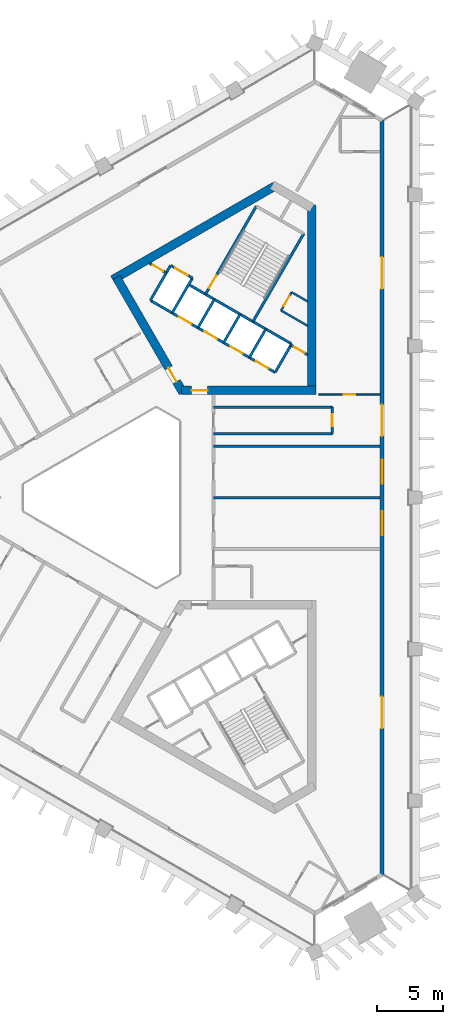
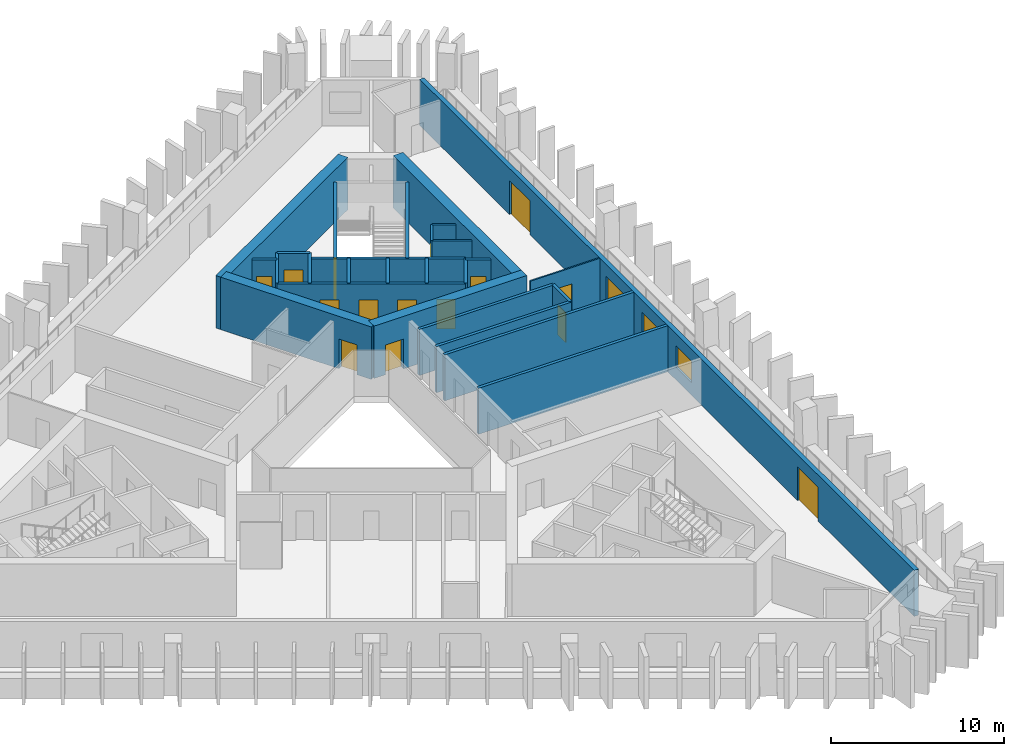
# One storey, part 5 of 10: 27 walls, 16 doors, 2 windows, 18 openings.
"""IFC4 building model written with IfcOpenShell, lengths in metres."""

from ifc_helpers import new_model, si_unit, direction, frame, frame_2d, origin, place, context, subcontext, project, spatial, rectangle, extrude, material, layer, layer_set, type_object, element, fill, save


model = new_model("IFC4")

# Units and contexts
model_context = context("Model", 3, precision=1e-05, world=origin(), true_north=direction((0.0, 1.0)))
body_context = subcontext(model_context, "Body", "Model", "MODEL_VIEW")
ifc_project = project(units=[si_unit("LENGTHUNIT", "METRE"), si_unit("AREAUNIT", "SQUARE_METRE"), si_unit("VOLUMEUNIT", "CUBIC_METRE"), si_unit("PLANEANGLEUNIT", "RADIAN"), si_unit("MASSUNIT", "GRAM", prefix="KILO")], contexts=[model_context])

# Site, building, storey
site_placement = place(None, origin())
site = spatial("IfcSite", under=ifc_project, at=site_placement, CompositionType="ELEMENT")
building_placement = place(site_placement, origin())
building = spatial("IfcBuilding", under=site, at=building_placement, Name="Jabali Bay Hotel Tower and Convention Centre", CompositionType="ELEMENT")
storey_placement = place(building_placement, frame((0.0, 0.0, 110.5)))
storey = spatial("IfcBuildingStorey", under=building, at=storey_placement, Name="L26", CompositionType="ELEMENT", Elevation=110.5)

# Wall, opening, door
ifc_material_1 = material(Name="Concrete C40", Category="concrete")
ifc_layer_1 = layer(ifc_material_1, 0.199951171875)
ifc_layer_set_1 = layer_set([ifc_layer_1], Name="Concrete C40")
wall_type_1 = type_object("IfcWallType", Name="Core partition wall 200", PredefinedType="PARTITIONING", material=ifc_layer_set_1)
wall_1_placement = place(storey_placement, frame((89.22998046875, 90.813720703125, 0.0), z_axis=(0.0, 0.0, 1.0), x_axis=(-0.866022048785, 0.500005810984, 0.0)))
wall_1 = element("IfcWall", 1, at=wall_1_placement, inside=storey, type_object=wall_type_1, Name="Core wall 1.11 L26", PredefinedType="PARTITIONING", context=body_context, shape_type="SweptSolid", body=[
    extrude(rectangle(XDim=1.466796875, YDim=0.199951171875, at=frame_2d((0.7333984375, 0.0))), origin(), (0.0, 0.0, 1.0), 3.25),
])
opening_1_placement = place(wall_1_placement, frame((0.283447265625, 0.0, 0.0)))
opening_1 = element("IfcOpeningElement", 2, at=opening_1_placement, cuts=wall_1, Name="Opening D593", PredefinedType="OPENING", context=body_context, shape_type="SweptSolid", body=[
    extrude(rectangle(XDim=0.89990234375, YDim=2.10009765625, at=frame_2d((0.449951171875, 1.050048828125))), frame((0.0, 0.1103515625, 0.0), z_axis=(0.0, -1.0, 0.0), x_axis=(1.0, 0.0, 0.0)), (0.0, 0.0, 1.0), 0.220947265625),
])
ifc_material_2 = material(Name="Fire-rated steel door", Category="steel")
door_type_1 = type_object("IfcDoorType", Name="Vestibule fire door 900 x 2100", OperationType="NOTDEFINED", PredefinedType="NOTDEFINED", material=ifc_material_2)
door_1_placement = place(opening_1_placement, origin())
door_1 = element("IfcDoor", 3, at=door_1_placement, inside=storey, type_object=door_type_1, Name="Vestibule fire door D593", OperationType="SINGLE_SWING_LEFT", OverallHeight=2.10009765625, OverallWidth=0.89990234375, PredefinedType="NOTDEFINED", context=body_context, shape_type="SweptSolid", body=[
    extrude(rectangle(XDim=0.89990234375, YDim=2.10009765625, at=frame_2d((0.449951171875, 1.050048828125))), frame((0.0, 0.02490234375, 0.0), z_axis=(0.0, -1.0, 0.0), x_axis=(1.0, 0.0, 0.0)), (0.0, 0.0, 1.0), 0.050048828125),
])
fill(opening_1, door_1)

wall_2_placement = place(storey_placement, frame((78.5302734375, 97.014404296875, 0.0), z_axis=(0.0, 0.0, 1.0), x_axis=(-0.866045896294, 0.499964504253, 0.0)))
wall_2 = element("IfcWall", 4, at=wall_2_placement, inside=storey, type_object=wall_type_1, Name="Core wall 1.12 L26", PredefinedType="PARTITIONING", context=body_context, shape_type="SweptSolid", body=[
    extrude(rectangle(XDim=1.455078125, YDim=0.199951171875, at=frame_2d((0.7275390625, 0.0))), origin(), (0.0, 0.0, 1.0), 3.25),
])
opening_2_placement = place(wall_2_placement, frame((0.277587890625, 0.0, 0.0)))
opening_2 = element("IfcOpeningElement", 5, at=opening_2_placement, cuts=wall_2, Name="Opening D592", PredefinedType="OPENING", context=body_context, shape_type="SweptSolid", body=[
    extrude(rectangle(XDim=0.89990234375, YDim=2.10009765625, at=frame_2d((0.449951171875, 1.050048828125))), frame((0.0, 0.1103515625, 0.0), z_axis=(0.0, -1.0, 0.0), x_axis=(1.0, 0.0, 0.0)), (0.0, 0.0, 1.0), 0.220947265625),
])
door_2_placement = place(opening_2_placement, origin())
door_2 = element("IfcDoor", 6, at=door_2_placement, inside=storey, type_object=door_type_1, Name="Vestibule fire door D592", OperationType="SINGLE_SWING_LEFT", OverallHeight=2.10009765625, OverallWidth=0.89990234375, PredefinedType="NOTDEFINED", context=body_context, shape_type="SweptSolid", body=[
    extrude(rectangle(XDim=0.89990234375, YDim=2.10009765625, at=frame_2d((0.449951171875, 1.050048828125))), frame((0.0, 0.02490234375, 0.0), z_axis=(0.0, -1.0, 0.0), x_axis=(1.0, 0.0, 0.0)), (0.0, 0.0, 1.0), 0.050048828125),
])
fill(opening_2, door_2)

ifc_material_3 = material(Name="Fire-rated board partition")
ifc_layer_2 = layer(ifc_material_3, 0.14990234375)
ifc_layer_set_2 = layer_set([ifc_layer_2], Name="Fire-rated board partition")
wall_type_2 = type_object("IfcWallType", Name="Core room partition 150", PredefinedType="PARTITIONING", material=ifc_layer_set_2)
wall_3_placement = place(storey_placement, frame((87.22119140625, 94.16748046875, 0.0), z_axis=(0.0, 0.0, 1.0), x_axis=(0.499880961361, 0.866094119867, 0.0)))
wall_3 = element("IfcWall", 7, at=wall_3_placement, inside=storey, type_object=wall_type_2, Name="Core wall 1.1 L26", PredefinedType="PARTITIONING", context=body_context, shape_type="SweptSolid", body=[
    extrude(rectangle(XDim=1.60009765625, YDim=0.14990234375, at=frame_2d((0.800048828125, 0.0))), origin(), (0.0, 0.0, 1.0), 3.25),
])
opening_3_placement = place(wall_3_placement, frame((0.387451171875, 0.0, 0.0)))
opening_3 = element("IfcOpeningElement", 8, at=opening_3_placement, cuts=wall_3, Name="Opening D595", PredefinedType="OPENING", context=body_context, shape_type="SweptSolid", body=[
    extrude(rectangle(XDim=0.89990234375, YDim=2.10009765625, at=frame_2d((0.449951171875, 1.050048828125))), frame((0.0, 0.08544921875, 0.0), z_axis=(0.0, -1.0, 0.0), x_axis=(1.0, 0.0, 0.0)), (0.0, 0.0, 1.0), 0.1708984375),
])
door_type_2 = type_object("IfcDoorType", Name="Core room door 900 x 2100", OperationType="NOTDEFINED", PredefinedType="NOTDEFINED", material=ifc_material_2)
door_3_placement = place(opening_3_placement, origin())
door_3 = element("IfcDoor", 9, at=door_3_placement, inside=storey, type_object=door_type_2, Name="Core room door D595", OperationType="SINGLE_SWING_LEFT", OverallHeight=2.10009765625, OverallWidth=0.89990234375, PredefinedType="NOTDEFINED", context=body_context, shape_type="SweptSolid", body=[
    extrude(rectangle(XDim=0.89990234375, YDim=2.10009765625, at=frame_2d((0.449951171875, 1.050048828125))), frame((0.0, 0.02490234375, 0.0), z_axis=(0.0, -1.0, 0.0), x_axis=(1.0, 0.0, 0.0)), (0.0, 0.0, 1.0), 0.050048828125),
])
fill(opening_3, door_3)

# Walls
wall_4_placement = place(storey_placement, frame((89.22998046875, 93.0078125, 0.0), z_axis=(0.0, 0.0, 1.0), x_axis=(-0.866045366557, 0.49996542187, 0.0)))
element("IfcWall", 10, at=wall_4_placement, inside=storey, type_object=wall_type_2, Name="Core wall 1.15 L26", PredefinedType="PARTITIONING", context=body_context, shape_type="SweptSolid", body=[
    extrude(rectangle(XDim=2.319580078125, YDim=0.14990234375, at=frame_2d((1.15966796875, 0.0))), origin(), (0.0, 0.0, 1.0), 3.25),
])
wall_5_placement = place(storey_placement, frame((89.22998046875, 94.855224609375, 0.0), z_axis=(0.0, 0.0, 1.0), x_axis=(-0.866028321769, 0.499994945868, 0.0)))
element("IfcWall", 11, at=wall_5_placement, inside=storey, type_object=wall_type_2, Name="Core wall 1.16 L26", PredefinedType="PARTITIONING", context=body_context, shape_type="SweptSolid", body=[
    extrude(rectangle(XDim=1.39599609375, YDim=0.14990234375, at=frame_2d((0.697998046875, 0.0))), origin(), (0.0, 0.0, 1.0), 3.25),
])
ifc_layer_3 = layer(ifc_material_1, 0.199951171875)
ifc_layer_set_3 = layer_set([ifc_layer_3], Name="Concrete C40")
wall_type_3 = type_object("IfcWallType", Name="Core stair wall 200", PredefinedType="SOLIDWALL", material=ifc_layer_set_3)
for number, where, z_axis, x_axis, name in (
    (12, (86.769775390625, 89.48583984375, 0.0), (0.0, 0.0, 1.0), (0.499961042966, 0.86604789447, 0.0), "Core wall 1.0 L26"),
    (13, (84.8212890625, 90.61083984375, 0.0), (0.0, 0.0, 1.0), (0.499961042966, 0.86604789447, 0.0), "Core wall 1.2 L26"),
):
    element("IfcWall", number, at=place(storey_placement, frame(where, z_axis=z_axis, x_axis=x_axis)), inside=storey, type_object=wall_type_3, Name=name, PredefinedType="SOLIDWALL", context=body_context, shape_type="SweptSolid", body=[
        extrude(rectangle(XDim=2.480224609375, YDim=0.199951171875, at=frame_2d((1.240234375, 0.0))), origin(), (0.0, 0.0, 1.0), 3.25),
    ])
wall_6_placement = place(storey_placement, frame((85.0869140625, 93.3212890625, 0.0), z_axis=(0.0, 0.0, 1.0), x_axis=(0.500019787375, 0.866013979237, 0.0)))
element("IfcWall", 14, at=wall_6_placement, inside=storey, type_object=wall_type_3, Name="Core wall 1.3 L26", PredefinedType="SOLIDWALL", context=body_context, shape_type="SweptSolid", body=[
    extrude(rectangle(XDim=7.699951171875, YDim=0.199951171875, at=frame_2d((3.85009765625, 0.0))), origin(), (0.0, 0.0, 1.0), 3.25),
])
for number, where, z_axis, x_axis, name in (
    (15, (82.872802734375, 91.73583984375, 0.0), (0.0, 0.0, 1.0), (0.499961042966, 0.86604789447, 0.0), "Core wall 1.4 L26"),
    (16, (80.924072265625, 92.86083984375, 0.0), (0.0, 0.0, 1.0), (0.499961042966, 0.86604789447, 0.0), "Core wall 1.6 L26"),
):
    element("IfcWall", number, at=place(storey_placement, frame(where, z_axis=z_axis, x_axis=x_axis)), inside=storey, type_object=wall_type_3, Name=name, PredefinedType="SOLIDWALL", context=body_context, shape_type="SweptSolid", body=[
        extrude(rectangle(XDim=2.480224609375, YDim=0.199951171875, at=frame_2d((1.240234375, 0.0))), origin(), (0.0, 0.0, 1.0), 3.25),
    ])

# Wall, opening, door
wall_7_placement = place(storey_placement, frame((81.492919921875, 95.396240234375, 0.0), z_axis=(0.0, 0.0, 1.0), x_axis=(0.500006057782, 0.866021906294, 0.0)))
wall_7 = element("IfcWall", 17, at=wall_7_placement, inside=storey, type_object=wall_type_3, Name="Core wall 1.7 L26", PredefinedType="SOLIDWALL", context=body_context, shape_type="SweptSolid", body=[
    extrude(rectangle(XDim=7.7001953125, YDim=0.199951171875, at=frame_2d((3.85009765625, 0.0))), origin(), (0.0, 0.0, 1.0), 3.25),
])
opening_4_placement = place(wall_7_placement, frame((0.550048828125, 0.0, 0.0)))
opening_4 = element("IfcOpeningElement", 18, at=opening_4_placement, cuts=wall_7, Name="Opening D594", PredefinedType="OPENING", context=body_context, shape_type="SweptSolid", body=[
    extrude(rectangle(XDim=1.10009765625, YDim=2.10009765625, at=frame_2d((0.550048828125, 1.050048828125))), frame((0.0, 0.1103515625, 0.0), z_axis=(0.0, -1.0, 0.0), x_axis=(1.0, 0.0, 0.0)), (0.0, 0.0, 1.0), 0.220947265625),
])
door_type_3 = type_object("IfcDoorType", Name="Stair fire door 1100 x 2100", OperationType="NOTDEFINED", PredefinedType="NOTDEFINED", material=ifc_material_2)
door_4_placement = place(opening_4_placement, origin())
door_4 = element("IfcDoor", 19, at=door_4_placement, inside=storey, type_object=door_type_3, Name="Stair fire door D594", OperationType="SINGLE_SWING_RIGHT", OverallHeight=2.10009765625, OverallWidth=1.10009765625, PredefinedType="NOTDEFINED", context=body_context, shape_type="SweptSolid", body=[
    extrude(rectangle(XDim=1.10009765625, YDim=2.10009765625, at=frame_2d((0.550048828125, 1.050048828125))), frame((0.0, 0.02490234375, 0.0), z_axis=(0.0, -1.0, 0.0), x_axis=(1.0, 0.0, 0.0)), (0.0, 0.0, 1.0), 0.050048828125),
])
fill(opening_4, door_4)

# Walls
for number, where, z_axis, x_axis, name in (
    (20, (78.9755859375, 93.98583984375, 0.0), (0.0, 0.0, 1.0), (0.499944174705, 0.866057632134, 0.0), "Core wall 1.8 L26"),
    (21, (77.330078125, 94.93603515625, 0.0), (0.0, 0.0, 1.0), (0.500038867431, 0.8660029625, 0.0), "Core wall 1.9 L26"),
):
    element("IfcWall", number, at=place(storey_placement, frame(where, z_axis=z_axis, x_axis=x_axis)), inside=storey, type_object=wall_type_3, Name=name, PredefinedType="SOLIDWALL", context=body_context, shape_type="SweptSolid", body=[
        extrude(rectangle(XDim=3.050048828125, YDim=0.199951171875, at=frame_2d((1.52490234375, 0.0))), origin(), (0.0, 0.0, 1.0), 3.25),
    ])

# Wall, openings, doors
wall_8_placement = place(storey_placement, frame((86.769775390625, 89.48583984375, 0.0), z_axis=(0.0, 0.0, 1.0), x_axis=(-0.86601811187, 0.500012629753, 0.0)))
wall_8 = element("IfcWall", 22, at=wall_8_placement, inside=storey, type_object=wall_type_3, Name="Core wall 1.10 L26", PredefinedType="SOLIDWALL", context=body_context, shape_type="SweptSolid", body=[
    extrude(rectangle(XDim=10.900146484375, YDim=0.199951171875, at=frame_2d((5.4501953125, 0.0))), origin(), (0.0, 0.0, 1.0), 3.25),
])
opening_5_placement = place(wall_8_placement, frame((0.574951171875, 0.0, 0.0)))
opening_5 = element("IfcOpeningElement", 23, at=opening_5_placement, cuts=wall_8, Name="Opening LD6-L26", PredefinedType="OPENING", context=body_context, shape_type="SweptSolid", body=[
    extrude(rectangle(XDim=1.10009765625, YDim=2.10009765625, at=frame_2d((0.550048828125, 1.050048828125))), frame((0.0, 0.1103515625, 0.0), z_axis=(0.0, -1.0, 0.0), x_axis=(1.0, 0.0, 0.0)), (0.0, 0.0, 1.0), 0.220947265625),
])
opening_6_placement = place(wall_8_placement, frame((2.824951171875, 0.0, 0.0)))
opening_6 = element("IfcOpeningElement", 24, at=opening_6_placement, cuts=wall_8, Name="Opening LD7-L26", PredefinedType="OPENING", context=body_context, shape_type="SweptSolid", body=[
    extrude(rectangle(XDim=1.10009765625, YDim=2.10009765625, at=frame_2d((0.550048828125, 1.050048828125))), frame((0.0, 0.1103515625, 0.0), z_axis=(0.0, -1.0, 0.0), x_axis=(1.0, 0.0, 0.0)), (0.0, 0.0, 1.0), 0.220947265625),
])
opening_7_placement = place(wall_8_placement, frame((5.074951171875, 0.0, 0.0)))
opening_7 = element("IfcOpeningElement", 25, at=opening_7_placement, cuts=wall_8, Name="Opening LD8-L26", PredefinedType="OPENING", context=body_context, shape_type="SweptSolid", body=[
    extrude(rectangle(XDim=1.10009765625, YDim=2.10009765625, at=frame_2d((0.550048828125, 1.050048828125))), frame((0.0, 0.1103515625, 0.0), z_axis=(0.0, -1.0, 0.0), x_axis=(1.0, 0.0, 0.0)), (0.0, 0.0, 1.0), 0.220947265625),
])
opening_8_placement = place(wall_8_placement, frame((7.324951171875, 0.0, 0.0)))
opening_8 = element("IfcOpeningElement", 26, at=opening_8_placement, cuts=wall_8, Name="Opening LD9-L26", PredefinedType="OPENING", context=body_context, shape_type="SweptSolid", body=[
    extrude(rectangle(XDim=1.10009765625, YDim=2.10009765625, at=frame_2d((0.550048828125, 1.050048828125))), frame((0.0, 0.1103515625, 0.0), z_axis=(0.0, -1.0, 0.0), x_axis=(1.0, 0.0, 0.0)), (0.0, 0.0, 1.0), 0.220947265625),
])
ifc_material_4 = material(Name="Stainless steel landing door", Category="steel")
door_type_4 = type_object("IfcDoorType", Name="Landing door 1100 x 2100", OperationType="NOTDEFINED", PredefinedType="NOTDEFINED", material=ifc_material_4)
door_5_placement = place(opening_5_placement, origin())
door_5 = element("IfcDoor", 27, at=door_5_placement, inside=storey, type_object=door_type_4, Name="Landing doors LD6-L26", OperationType="SLIDING_TO_RIGHT", OverallHeight=2.10009765625, OverallWidth=1.10009765625, PredefinedType="NOTDEFINED", context=body_context, shape_type="SweptSolid", body=[
    extrude(rectangle(XDim=1.10009765625, YDim=2.10009765625, at=frame_2d((0.550048828125, 1.050048828125))), frame((0.0, 0.02490234375, 0.0), z_axis=(0.0, -1.0, 0.0), x_axis=(1.0, 0.0, 0.0)), (0.0, 0.0, 1.0), 0.050048828125),
])
fill(opening_5, door_5)
door_6_placement = place(opening_6_placement, origin())
door_6 = element("IfcDoor", 28, at=door_6_placement, inside=storey, type_object=door_type_4, Name="Landing doors LD7-L26", OperationType="SLIDING_TO_LEFT", OverallHeight=2.10009765625, OverallWidth=1.10009765625, PredefinedType="NOTDEFINED", context=body_context, shape_type="SweptSolid", body=[
    extrude(rectangle(XDim=1.10009765625, YDim=2.10009765625, at=frame_2d((0.550048828125, 1.050048828125))), frame((0.0, 0.02490234375, 0.0), z_axis=(0.0, -1.0, 0.0), x_axis=(1.0, 0.0, 0.0)), (0.0, 0.0, 1.0), 0.050048828125),
])
fill(opening_6, door_6)
door_7_placement = place(opening_7_placement, origin())
door_7 = element("IfcDoor", 29, at=door_7_placement, inside=storey, type_object=door_type_4, Name="Landing doors LD8-L26", OperationType="SLIDING_TO_RIGHT", OverallHeight=2.10009765625, OverallWidth=1.10009765625, PredefinedType="NOTDEFINED", context=body_context, shape_type="SweptSolid", body=[
    extrude(rectangle(XDim=1.10009765625, YDim=2.10009765625, at=frame_2d((0.550048828125, 1.050048828125))), frame((0.0, 0.02490234375, 0.0), z_axis=(0.0, -1.0, 0.0), x_axis=(1.0, 0.0, 0.0)), (0.0, 0.0, 1.0), 0.050048828125),
])
fill(opening_7, door_7)
door_8_placement = place(opening_8_placement, origin())
door_8 = element("IfcDoor", 30, at=door_8_placement, inside=storey, type_object=door_type_4, Name="Landing doors LD9-L26", OperationType="SLIDING_TO_LEFT", OverallHeight=2.10009765625, OverallWidth=1.10009765625, PredefinedType="NOTDEFINED", context=body_context, shape_type="SweptSolid", body=[
    extrude(rectangle(XDim=1.10009765625, YDim=2.10009765625, at=frame_2d((0.550048828125, 1.050048828125))), frame((0.0, 0.02490234375, 0.0), z_axis=(0.0, -1.0, 0.0), x_axis=(1.0, 0.0, 0.0)), (0.0, 0.0, 1.0), 0.050048828125),
])
fill(opening_8, door_8)

# Wall
wall_9_placement = place(storey_placement, frame((88.009765625, 91.6337890625, 0.0), z_axis=(0.0, 0.0, 1.0), x_axis=(-0.866024315419, 0.5000018851, 0.0)))
element("IfcWall", 31, at=wall_9_placement, inside=storey, type_object=wall_type_3, Name="Core wall 1.13 L26", PredefinedType="SOLIDWALL", context=body_context, shape_type="SweptSolid", body=[
    extrude(rectangle(XDim=9.0, YDim=0.199951171875, at=frame_2d((4.5, 0.0))), origin(), (0.0, 0.0, 1.0), 3.25),
])

# Wall, opening, door
wall_10_placement = place(storey_placement, frame((80.50048828125, 96.62744140625, 0.0), z_axis=(0.0, 0.0, 1.0), x_axis=(-0.86601224135, 0.500022797313, 0.0)))
wall_10 = element("IfcWall", 32, at=wall_10_placement, inside=storey, type_object=wall_type_3, Name="Core wall 1.14 L26", PredefinedType="SOLIDWALL", context=body_context, shape_type="SweptSolid", body=[
    extrude(rectangle(XDim=1.89990234375, YDim=0.199951171875, at=frame_2d((0.949951171875, 0.0))), origin(), (0.0, 0.0, 1.0), 3.25),
])
opening_9_placement = place(wall_10_placement, frame((0.39990234375, 0.0, 0.0)))
opening_9 = element("IfcOpeningElement", 33, at=opening_9_placement, cuts=wall_10, Name="Opening LD10-L26", PredefinedType="OPENING", context=body_context, shape_type="SweptSolid", body=[
    extrude(rectangle(XDim=1.10009765625, YDim=2.10009765625, at=frame_2d((0.550048828125, 1.050048828125))), frame((0.0, 0.1103515625, 0.0), z_axis=(0.0, -1.0, 0.0), x_axis=(1.0, 0.0, 0.0)), (0.0, 0.0, 1.0), 0.220947265625),
])
door_9_placement = place(opening_9_placement, origin())
door_9 = element("IfcDoor", 34, at=door_9_placement, inside=storey, type_object=door_type_4, Name="Landing doors LD10-L26", OperationType="SLIDING_TO_RIGHT", OverallHeight=2.10009765625, OverallWidth=1.10009765625, PredefinedType="NOTDEFINED", context=body_context, shape_type="SweptSolid", body=[
    extrude(rectangle(XDim=1.10009765625, YDim=2.10009765625, at=frame_2d((0.550048828125, 1.050048828125))), frame((0.0, 0.02490234375, 0.0), z_axis=(0.0, -1.0, 0.0), x_axis=(1.0, 0.0, 0.0)), (0.0, 0.0, 1.0), 0.050048828125),
])
fill(opening_9, door_9)

ifc_material_5 = material(Name="Concrete C60", Category="concrete")
ifc_layer_4 = layer(ifc_material_5, 0.64990234375)
ifc_layer_set_4 = layer_set([ifc_layer_4], Name="Concrete C60")
wall_type_4 = type_object("IfcWallType", Name="Core wall 650", PredefinedType="SHEAR", material=ifc_layer_set_4)
wall_11_placement = place(storey_placement, frame((79.687744140625, 88.119140625, 0.0), z_axis=(0.0, 0.0, 1.0), x_axis=(1.0, 0.0, 0.0)))
wall_11 = element("IfcWall", 35, at=wall_11_placement, inside=storey, type_object=wall_type_4, Name="Core wall 2.1 L26", PredefinedType="SHEAR", context=body_context, shape_type="SweptSolid", body=[
    extrude(rectangle(XDim=10.192138671875, YDim=0.64990234375, at=frame_2d((5.09619140625, 0.0))), origin(), (0.0, 0.0, 1.0), 3.699951171875),
])
opening_10_placement = place(wall_11_placement, frame((0.762451171875, 0.0, 0.0)))
opening_10 = element("IfcOpeningElement", 36, at=opening_10_placement, cuts=wall_11, Name="Opening D590", PredefinedType="OPENING", context=body_context, shape_type="SweptSolid", body=[
    extrude(rectangle(XDim=1.199951171875, YDim=2.10009765625, at=frame_2d((0.60009765625, 1.050048828125))), frame((0.0, 0.33544921875, 0.0), z_axis=(0.0, -1.0, 0.0), x_axis=(1.0, 0.0, 0.0)), (0.0, 0.0, 1.0), 0.6708984375),
])
door_type_5 = type_object("IfcDoorType", Name="Corridor end fire door 1200 x 2100", OperationType="NOTDEFINED", PredefinedType="NOTDEFINED", material=ifc_material_2)
door_10_placement = place(opening_10_placement, origin())
door_10 = element("IfcDoor", 37, at=door_10_placement, inside=storey, type_object=door_type_5, Name="Corridor end fire door D590", OperationType="SINGLE_SWING_RIGHT", OverallHeight=2.10009765625, OverallWidth=1.199951171875, PredefinedType="NOTDEFINED", context=body_context, shape_type="SweptSolid", body=[
    extrude(rectangle(XDim=1.199951171875, YDim=2.10009765625, at=frame_2d((0.60009765625, 1.050048828125))), frame((0.0, 0.02490234375, 0.0), z_axis=(0.0, -1.0, 0.0), x_axis=(1.0, 0.0, 0.0)), (0.0, 0.0, 1.0), 0.050048828125),
])
fill(opening_10, door_10)

# Walls
wall_12_placement = place(storey_placement, frame((89.554931640625, 88.119140625, 0.0), z_axis=(0.0, 0.0, 1.0), x_axis=(0.0, 1.0, 0.0)))
element("IfcWall", 38, at=wall_12_placement, inside=storey, type_object=wall_type_4, Name="Core wall 2.2 L26", PredefinedType="SHEAR", context=body_context, shape_type="SweptSolid", body=[
    extrude(rectangle(XDim=14.008544921875, YDim=0.64990234375, at=frame_2d((7.00439453125, 0.0))), origin(), (0.0, 0.0, 1.0), 3.699951171875),
])
wall_13_placement = place(storey_placement, frame((86.72314453125, 103.574951171875, 0.0), z_axis=(0.0, 0.0, 1.0), x_axis=(-0.866031824457, -0.499988878904, 0.0)))
element("IfcWall", 39, at=wall_13_placement, inside=storey, type_object=wall_type_4, Name="Core wall 2.4 L26", PredefinedType="SHEAR", context=body_context, shape_type="SweptSolid", body=[
    extrude(rectangle(XDim=14.145751953125, YDim=0.64990234375, at=frame_2d((7.07275390625, 0.0))), origin(), (0.0, 0.0, 1.0), 3.699951171875),
])

# Wall, opening, door
wall_14_placement = place(storey_placement, frame((74.75390625, 96.66455078125, 0.0), z_axis=(0.0, 0.0, 1.0), x_axis=(0.500011799426, -0.866018591275, 0.0)))
wall_14 = element("IfcWall", 40, at=wall_14_placement, inside=storey, type_object=wall_type_4, Name="Core wall 2.5 L26", PredefinedType="SHEAR", context=body_context, shape_type="SweptSolid", body=[
    extrude(rectangle(XDim=10.054931640625, YDim=0.64990234375, at=frame_2d((5.02734375, 0.0))), origin(), (0.0, 0.0, 1.0), 3.699951171875),
])
opening_11_placement = place(wall_14_placement, frame((7.905029296875, 0.0, 0.0)))
opening_11 = element("IfcOpeningElement", 41, at=opening_11_placement, cuts=wall_14, Name="Opening D591", PredefinedType="OPENING", context=body_context, shape_type="SweptSolid", body=[
    extrude(rectangle(XDim=1.199951171875, YDim=2.10009765625, at=frame_2d((0.60009765625, 1.050048828125))), frame((0.0, 0.33544921875, 0.0), z_axis=(0.0, -1.0, 0.0), x_axis=(1.0, 0.0, 0.0)), (0.0, 0.0, 1.0), 0.6708984375),
])
door_11_placement = place(opening_11_placement, origin())
door_11 = element("IfcDoor", 42, at=door_11_placement, inside=storey, type_object=door_type_5, Name="Corridor end fire door D591", OperationType="SINGLE_SWING_LEFT", OverallHeight=2.10009765625, OverallWidth=1.199951171875, PredefinedType="NOTDEFINED", context=body_context, shape_type="SweptSolid", body=[
    extrude(rectangle(XDim=1.199951171875, YDim=2.10009765625, at=frame_2d((0.60009765625, 1.050048828125))), frame((0.0, 0.02490234375, 0.0), z_axis=(0.0, -1.0, 0.0), x_axis=(1.0, 0.0, 0.0)), (0.0, 0.0, 1.0), 0.050048828125),
])
fill(opening_11, door_11)

# Wall, openings, doors, windows
ifc_layer_5 = layer(ifc_material_1, 0.300048828125)
ifc_layer_set_5 = layer_set([ifc_layer_5], Name="Concrete C40")
wall_type_5 = type_object("IfcWallType", Name="External wall 300", PredefinedType="SOLIDWALL", material=ifc_layer_set_5)
wall_15_placement = place(storey_placement, frame((94.874755859375, 108.576171875, 0.0), z_axis=(0.0, 0.0, 1.0), x_axis=(0.0, -1.0, 0.0)))
wall_15 = element("IfcWall", 43, at=wall_15_placement, inside=storey, type_object=wall_type_5, Name="External wall east face L26", PredefinedType="SOLIDWALL", context=body_context, shape_type="SweptSolid", body=[
    extrude(rectangle(XDim=57.15234375, YDim=0.300048828125, at=frame_2d((28.576171875, 0.0))), origin(), (0.0, 0.0, 1.0), 3.25),
])
opening_12_placement = place(wall_15_placement, frame((21.530517578125, 0.0, 0.0)))
opening_12 = element("IfcOpeningElement", 44, at=opening_12_placement, cuts=wall_15, Name="Opening SD1", PredefinedType="OPENING", context=body_context, shape_type="SweptSolid", body=[
    extrude(rectangle(XDim=2.39990234375, YDim=2.39990234375, at=frame_2d((1.199951171875, 1.199951171875))), frame((0.0, 0.16064453125, 0.0), z_axis=(0.0, -1.0, 0.0), x_axis=(1.0, 0.0, 0.0)), (0.0, 0.0, 1.0), 0.321044921875),
])
opening_13_placement = place(wall_15_placement, frame((10.373046875, 0.0, 0.0)))
opening_13 = element("IfcOpeningElement", 45, at=opening_13_placement, cuts=wall_15, Name="Opening SD1", PredefinedType="OPENING", context=body_context, shape_type="SweptSolid", body=[
    extrude(rectangle(XDim=2.39990234375, YDim=2.39990234375, at=frame_2d((1.199951171875, 1.199951171875))), frame((0.0, 0.16064453125, 0.0), z_axis=(0.0, -1.0, 0.0), x_axis=(1.0, 0.0, 0.0)), (0.0, 0.0, 1.0), 0.321044921875),
])
opening_14_placement = place(wall_15_placement, frame((43.656005859375, 0.0, 0.0)))
opening_14 = element("IfcOpeningElement", 46, at=opening_14_placement, cuts=wall_15, Name="Opening SD1", PredefinedType="OPENING", context=body_context, shape_type="SweptSolid", body=[
    extrude(rectangle(XDim=2.39990234375, YDim=2.39990234375, at=frame_2d((1.199951171875, 1.199951171875))), frame((0.0, 0.16064453125, 0.0), z_axis=(0.0, -1.0, 0.0), x_axis=(1.0, 0.0, 0.0)), (0.0, 0.0, 1.0), 0.321044921875),
])
opening_15_placement = place(wall_15_placement, frame((29.624755859375, 0.0, 0.89990234375)))
opening_15 = element("IfcOpeningElement", 47, at=opening_15_placement, cuts=wall_15, Name="Opening W1", PredefinedType="OPENING", context=body_context, shape_type="SweptSolid", body=[
    extrude(rectangle(XDim=1.800048828125, YDim=1.5, at=frame_2d((0.89990234375, 0.75))), frame((0.0, 0.16064453125, 0.0), z_axis=(0.0, -1.0, 0.0), x_axis=(1.0, 0.0, 0.0)), (0.0, 0.0, 1.0), 0.321044921875),
])
opening_16_placement = place(wall_15_placement, frame((25.7275390625, 0.0, 0.89990234375)))
opening_16 = element("IfcOpeningElement", 48, at=opening_16_placement, cuts=wall_15, Name="Opening W1", PredefinedType="OPENING", context=body_context, shape_type="SweptSolid", body=[
    extrude(rectangle(XDim=1.800048828125, YDim=1.5, at=frame_2d((0.89990234375, 0.75))), frame((0.0, 0.16064453125, 0.0), z_axis=(0.0, -1.0, 0.0), x_axis=(1.0, 0.0, 0.0)), (0.0, 0.0, 1.0), 0.321044921875),
])
ifc_material_6 = material(Name="Glass", Category="glass")
door_type_6 = type_object("IfcDoorType", Name="Loggia sliding door 2400 x 2400", OperationType="NOTDEFINED", PredefinedType="NOTDEFINED", material=ifc_material_6)
door_12_placement = place(opening_12_placement, origin())
door_12 = element("IfcDoor", 49, at=door_12_placement, inside=storey, type_object=door_type_6, Name="Loggia sliding door 2602", OperationType="SLIDING_TO_LEFT", OverallHeight=2.39990234375, OverallWidth=2.39990234375, PredefinedType="NOTDEFINED", context=body_context, shape_type="SweptSolid", body=[
    extrude(rectangle(XDim=2.39990234375, YDim=2.39990234375, at=frame_2d((1.199951171875, 1.199951171875))), frame((0.0, 0.02490234375, 0.0), z_axis=(0.0, -1.0, 0.0), x_axis=(1.0, 0.0, 0.0)), (0.0, 0.0, 1.0), 0.050048828125),
])
fill(opening_12, door_12)
door_13_placement = place(opening_13_placement, origin())
door_13 = element("IfcDoor", 50, at=door_13_placement, inside=storey, type_object=door_type_6, Name="Loggia sliding door 2602", OperationType="SLIDING_TO_RIGHT", OverallHeight=2.39990234375, OverallWidth=2.39990234375, PredefinedType="NOTDEFINED", context=body_context, shape_type="SweptSolid", body=[
    extrude(rectangle(XDim=2.39990234375, YDim=2.39990234375, at=frame_2d((1.199951171875, 1.199951171875))), frame((0.0, 0.02490234375, 0.0), z_axis=(0.0, -1.0, 0.0), x_axis=(1.0, 0.0, 0.0)), (0.0, 0.0, 1.0), 0.050048828125),
])
fill(opening_13, door_13)
door_14_placement = place(opening_14_placement, origin())
door_14 = element("IfcDoor", 51, at=door_14_placement, inside=storey, type_object=door_type_6, Name="Loggia sliding door 2601", OperationType="SLIDING_TO_LEFT", OverallHeight=2.39990234375, OverallWidth=2.39990234375, PredefinedType="NOTDEFINED", context=body_context, shape_type="SweptSolid", body=[
    extrude(rectangle(XDim=2.39990234375, YDim=2.39990234375, at=frame_2d((1.199951171875, 1.199951171875))), frame((0.0, 0.02490234375, 0.0), z_axis=(0.0, -1.0, 0.0), x_axis=(1.0, 0.0, 0.0)), (0.0, 0.0, 1.0), 0.050048828125),
])
fill(opening_14, door_14)
window_type = type_object("IfcWindowType", Name="Window 1800 x 1500", PartitioningType="SINGLE_PANEL", PredefinedType="WINDOW", material=ifc_material_6)
window_1_placement = place(opening_15_placement, origin())
window_1 = element("IfcWindow", 52, at=window_1_placement, inside=storey, type_object=window_type, Name="Window", OverallHeight=1.5, OverallWidth=1.800048828125, PartitioningType="SINGLE_PANEL", PredefinedType="WINDOW", context=body_context, shape_type="SweptSolid", body=[
    extrude(rectangle(XDim=1.800048828125, YDim=1.5, at=frame_2d((0.89990234375, 0.75))), frame((0.0, 0.030029296875, 0.0), z_axis=(0.0, -1.0, 0.0), x_axis=(1.0, 0.0, 0.0)), (0.0, 0.0, 1.0), 0.06005859375),
])
fill(opening_15, window_1)
window_2_placement = place(opening_16_placement, origin())
window_2 = element("IfcWindow", 53, at=window_2_placement, inside=storey, type_object=window_type, Name="Window", OverallHeight=1.5, OverallWidth=1.800048828125, PartitioningType="SINGLE_PANEL", PredefinedType="WINDOW", context=body_context, shape_type="SweptSolid", body=[
    extrude(rectangle(XDim=1.800048828125, YDim=1.5, at=frame_2d((0.89990234375, 0.75))), frame((0.0, 0.030029296875, 0.0), z_axis=(0.0, -1.0, 0.0), x_axis=(1.0, 0.0, 0.0)), (0.0, 0.0, 1.0), 0.06005859375),
])
fill(opening_16, window_2)

# Wall, opening, door
ifc_material_7 = material(Name="Plasterboard on steel stud", Category="steel")
ifc_layer_6 = layer(ifc_material_7, 0.10009765625)
ifc_layer_set_6 = layer_set([ifc_layer_6], Name="Plasterboard on steel stud")
wall_type_6 = type_object("IfcWallType", Name="Partition 100 unit", PredefinedType="PARTITIONING", material=ifc_layer_set_6)
wall_16_placement = place(storey_placement, frame((94.725830078125, 87.794189453125, 0.0), z_axis=(0.0, 0.0, 1.0), x_axis=(-1.0, 0.0, 0.0)))
wall_16 = element("IfcWall", 54, at=wall_16_placement, inside=storey, type_object=wall_type_6, Name="Partition P02 L26 007", PredefinedType="PARTITIONING", context=body_context, shape_type="SweptSolid", body=[
    extrude(rectangle(XDim=4.646728515625, YDim=0.10009765625, at=frame_2d((2.3232421875, 0.0))), origin(), (0.0, 0.0, 1.0), 3.25),
])
opening_17_placement = place(wall_16_placement, frame((1.873046875, 0.0, 0.0)))
opening_17 = element("IfcOpeningElement", 55, at=opening_17_placement, cuts=wall_16, Name="Opening 2606", PredefinedType="OPENING", context=body_context, shape_type="SweptSolid", body=[
    extrude(rectangle(XDim=0.89990234375, YDim=2.10009765625, at=frame_2d((0.449951171875, 1.050048828125))), frame((0.0, 0.060546875, 0.0), z_axis=(0.0, -1.0, 0.0), x_axis=(1.0, 0.0, 0.0)), (0.0, 0.0, 1.0), 0.12109375),
])
ifc_material_8 = material(Name="Timber", Category="wood")
door_type_7 = type_object("IfcDoorType", Name="Internal door 900 x 2100", OperationType="NOTDEFINED", PredefinedType="NOTDEFINED", material=ifc_material_8)
door_15_placement = place(opening_17_placement, origin())
door_15 = element("IfcDoor", 56, at=door_15_placement, inside=storey, type_object=door_type_7, Name="Door 2606", OperationType="SINGLE_SWING_LEFT", OverallHeight=2.10009765625, OverallWidth=0.89990234375, PredefinedType="NOTDEFINED", context=body_context, shape_type="SweptSolid", body=[
    extrude(rectangle(XDim=0.89990234375, YDim=2.10009765625, at=frame_2d((0.449951171875, 1.050048828125))), frame((0.0, 0.02490234375, 0.0), z_axis=(0.0, -1.0, 0.0), x_axis=(1.0, 0.0, 0.0)), (0.0, 0.0, 1.0), 0.050048828125),
])
fill(opening_17, door_15)

# Walls
ifc_layer_7 = layer(ifc_material_7, 0.199951171875)
ifc_layer_set_7 = layer_set([ifc_layer_7], Name="Plasterboard on steel stud")
wall_type_7 = type_object("IfcWallType", Name="Partition 200 party", PredefinedType="PARTITIONING", material=ifc_layer_set_7)
for number, where, z_axis, x_axis, name in (
    (57, (94.725830078125, 80.0, 0.0), (0.0, 0.0, 1.0), (-1.0, 0.0, 0.0), "Partition P01 L26 005"),
    (58, (94.725830078125, 83.897216796875, 0.0), (0.0, 0.0, 1.0), (-1.0, 0.0, 0.0), "Partition P01 L26 006"),
):
    element("IfcWall", number, at=place(storey_placement, frame(where, z_axis=z_axis, x_axis=x_axis)), inside=storey, type_object=wall_type_7, Name=name, PredefinedType="PARTITIONING", context=body_context, shape_type="SweptSolid", body=[
        extrude(rectangle(XDim=12.625732421875, YDim=0.199951171875, at=frame_2d((6.31298828125, 0.0))), origin(), (0.0, 0.0, 1.0), 3.25),
    ])
wall_17_placement = place(storey_placement, frame((82.10009765625, 86.845703125, 0.0), z_axis=(0.0, 0.0, 1.0), x_axis=(1.0, 0.0, 0.0)))
element("IfcWall", 59, at=wall_17_placement, inside=storey, type_object=wall_type_7, Name="Partition P01 L26 008", PredefinedType="PARTITIONING", context=body_context, shape_type="SweptSolid", body=[
    extrude(rectangle(XDim=9.0, YDim=0.199951171875, at=frame_2d((4.5, 0.0))), origin(), (0.0, 0.0, 1.0), 3.25),
])

# Wall, opening, door
wall_18_placement = place(storey_placement, frame((91.10009765625, 86.845703125, 0.0), z_axis=(0.0, 0.0, 1.0), x_axis=(0.0, -1.0, 0.0)))
wall_18 = element("IfcWall", 60, at=wall_18_placement, inside=storey, type_object=wall_type_7, Name="Partition P01 L26 009", PredefinedType="PARTITIONING", context=body_context, shape_type="SweptSolid", body=[
    extrude(rectangle(XDim=2.0, YDim=0.199951171875, at=frame_2d((1.0, 0.0))), origin(), (0.0, 0.0, 1.0), 3.25),
])
opening_18_placement = place(wall_18_placement, frame((0.550048828125, 0.0, 0.0)))
opening_18 = element("IfcOpeningElement", 61, at=opening_18_placement, cuts=wall_18, Name="Opening 2608", PredefinedType="OPENING", context=body_context, shape_type="SweptSolid", body=[
    extrude(rectangle(XDim=0.89990234375, YDim=2.10009765625, at=frame_2d((0.449951171875, 1.050048828125))), frame((0.0, 0.1103515625, 0.0), z_axis=(0.0, -1.0, 0.0), x_axis=(1.0, 0.0, 0.0)), (0.0, 0.0, 1.0), 0.220947265625),
])
door_16_placement = place(opening_18_placement, origin())
door_16 = element("IfcDoor", 62, at=door_16_placement, inside=storey, type_object=door_type_7, Name="Door 2608", OperationType="SINGLE_SWING_RIGHT", OverallHeight=2.10009765625, OverallWidth=0.89990234375, PredefinedType="NOTDEFINED", context=body_context, shape_type="SweptSolid", body=[
    extrude(rectangle(XDim=0.89990234375, YDim=2.10009765625, at=frame_2d((0.449951171875, 1.050048828125))), frame((0.0, 0.02490234375, 0.0), z_axis=(0.0, -1.0, 0.0), x_axis=(1.0, 0.0, 0.0)), (0.0, 0.0, 1.0), 0.050048828125),
])
fill(opening_18, door_16)

# Wall
wall_19_placement = place(storey_placement, frame((91.10009765625, 84.845703125, 0.0), z_axis=(0.0, 0.0, 1.0), x_axis=(-1.0, 0.0, 0.0)))
element("IfcWall", 63, at=wall_19_placement, inside=storey, type_object=wall_type_7, Name="Partition P01 L26 010", PredefinedType="PARTITIONING", context=body_context, shape_type="SweptSolid", body=[
    extrude(rectangle(XDim=9.0, YDim=0.199951171875, at=frame_2d((4.5, 0.0))), origin(), (0.0, 0.0, 1.0), 3.25),
])

save(model, "model.ifc")
